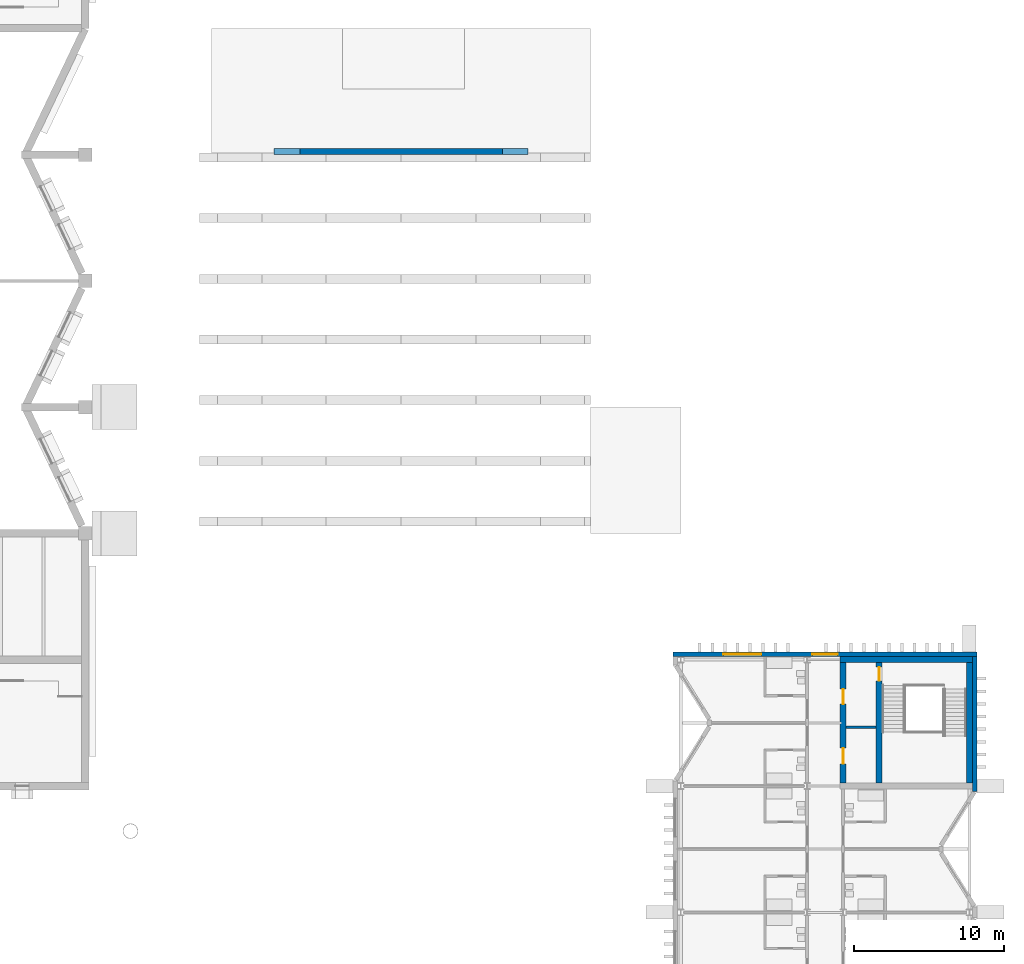
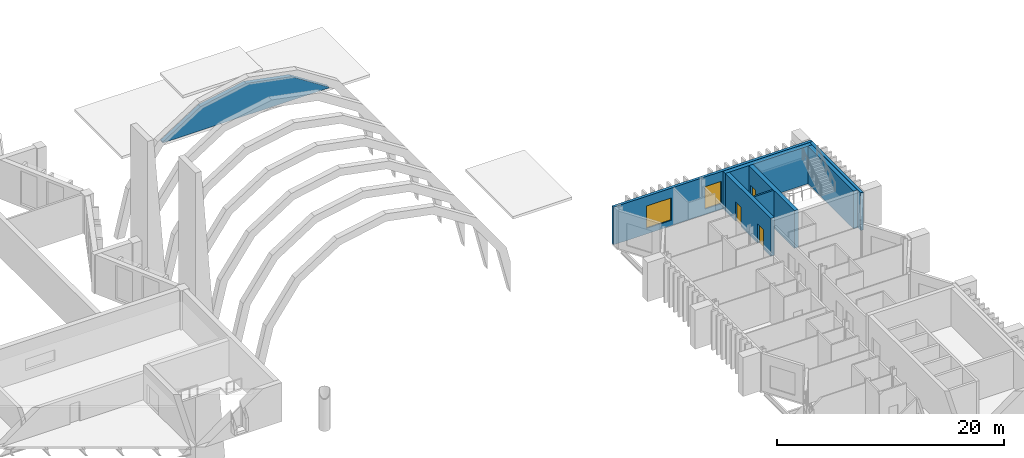
# One storey, part 70 of 88: 8 walls, 3 doors, 2 windows, 5 openings.
"""IFC4 building model written with IfcOpenShell, lengths in metres."""

from ifc_helpers import new_model, si_unit, direction, frame, frame_2d, origin, place, context, subcontext, project, spatial, polyline, rectangle, outline, extrude, material, layer, layer_set, type_object, element, fill, save


model = new_model("IFC4")

# Units and contexts
model_context = context("Model", 3, precision=1e-05, world=origin(), true_north=direction((0.0, 1.0)))
body_context = subcontext(model_context, "Body", "Model", "MODEL_VIEW")
ifc_project = project(units=[si_unit("LENGTHUNIT", "METRE"), si_unit("AREAUNIT", "SQUARE_METRE"), si_unit("VOLUMEUNIT", "CUBIC_METRE"), si_unit("PLANEANGLEUNIT", "RADIAN"), si_unit("MASSUNIT", "GRAM", prefix="KILO")], contexts=[model_context])

# Site, building, storey
site_placement = place(None, origin())
site = spatial("IfcSite", under=ifc_project, at=site_placement, CompositionType="ELEMENT")
building_placement = place(site_placement, origin())
building = spatial("IfcBuilding", under=site, at=building_placement, Name="Cresset Court Congress Hotel", CompositionType="ELEMENT")
storey_placement = place(building_placement, frame((0.0, 0.0, 14.39990234375)))
storey = spatial("IfcBuildingStorey", under=building, at=storey_placement, Name="L03", CompositionType="ELEMENT", Elevation=14.39990234375)

# Wall
ifc_material_1 = material(Name="Precast concrete C50", Category="concrete")
ifc_layer_1 = layer(ifc_material_1, 0.280029296875)
ifc_layer_set_1 = layer_set([ifc_layer_1], Name="External wall 280")
wall_type_1 = type_object("IfcWallType", Name="External wall 280", PredefinedType="SOLIDWALL", material=ifc_layer_set_1)
wall_1_placement = place(storey_placement, frame((176.760009765625, 58.449951171875, 0.0), z_axis=(0.0, 0.0, 1.0), x_axis=(0.0, 1.0, 0.0)))
element("IfcWall", 1, at=wall_1_placement, inside=storey, type_object=wall_type_1, Name="A.ew.L03.E.3", PredefinedType="SOLIDWALL", context=body_context, shape_type="SweptSolid", body=[
    extrude(rectangle(XDim=8.969970703125, YDim=0.280029296875, at=frame_2d((4.48486328125, 0.0))), origin(), (0.0, 0.0, 1.0), 4.050048828125),
])

# Wall, openings, windows
ifc_material_2 = material(Name="Precast concrete C50", Category="concrete")
ifc_layer_2 = layer(ifc_material_2, 0.280029296875)
ifc_layer_set_2 = layer_set([ifc_layer_2], Name="Gable end wall 280")
wall_type_2 = type_object("IfcWallType", Name="Gable end wall 280", PredefinedType="SOLIDWALL", material=ifc_layer_set_2)
wall_2_placement = place(storey_placement, frame((156.699951171875, 67.56005859375, 0.0), z_axis=(0.0, 0.0, 1.0), x_axis=(1.0, 0.0, 0.0)))
wall_2 = element("IfcWall", 2, at=wall_2_placement, inside=storey, type_object=wall_type_2, Name="A.ew.L03.N.1", PredefinedType="SOLIDWALL", context=body_context, shape_type="SweptSolid", body=[
    extrude(rectangle(XDim=20.199951171875, YDim=0.280029296875, at=frame_2d((10.10009765625, 0.0))), origin(), (0.0, 0.0, 1.0), 4.050048828125),
])
opening_1_placement = place(wall_2_placement, frame((9.260009765625, 0.0, 0.60009765625)))
opening_1 = element("IfcOpeningElement", 3, at=opening_1_placement, cuts=wall_2, Name="Opening NA-03-21", PredefinedType="OPENING", context=body_context, shape_type="SweptSolid", body=[
    extrude(rectangle(XDim=1.679931640625, YDim=2.39990234375, at=frame_2d((0.83984375, 1.199951171875))), frame((0.0, 0.14990234375, 0.0), z_axis=(0.0, -1.0, 0.0), x_axis=(1.0, 0.0, 0.0)), (0.0, 0.0, 1.0), 0.300048828125),
])
opening_2_placement = place(wall_2_placement, frame((3.340087890625, 0.0, 0.60009765625)))
opening_2 = element("IfcOpeningElement", 4, at=opening_2_placement, cuts=wall_2, Name="Opening NA-03-22", PredefinedType="OPENING", context=body_context, shape_type="SweptSolid", body=[
    extrude(rectangle(XDim=2.52001953125, YDim=2.39990234375, at=frame_2d((1.260009765625, 1.199951171875))), frame((0.0, 0.14990234375, 0.0), z_axis=(0.0, -1.0, 0.0), x_axis=(1.0, 0.0, 0.0)), (0.0, 0.0, 1.0), 0.300048828125),
])
ifc_material_3 = material(Name="Aluminium and glass", Category="aluminium")
window_type_1 = type_object("IfcWindowType", Name="Window 1680x2400", PartitioningType="SINGLE_PANEL", PredefinedType="WINDOW", material=ifc_material_3)
window_1_placement = place(opening_1_placement, origin())
window_1 = element("IfcWindow", 5, at=window_1_placement, inside=storey, type_object=window_type_1, Name="Window NA-03-21", OverallHeight=2.39990234375, OverallWidth=1.679931640625, PartitioningType="SINGLE_PANEL", PredefinedType="WINDOW", context=body_context, shape_type="SweptSolid", body=[
    extrude(rectangle(XDim=1.679931640625, YDim=2.39990234375, at=frame_2d((0.83984375, 1.199951171875))), frame((0.0, 0.030029296875, 0.0), z_axis=(0.0, -1.0, 0.0), x_axis=(1.0, 0.0, 0.0)), (0.0, 0.0, 1.0), 0.06005859375),
])
fill(opening_1, window_1)
ifc_material_4 = material(Name="Aluminium and glass", Category="aluminium")
window_type_2 = type_object("IfcWindowType", Name="Window 2520x2400", PartitioningType="SINGLE_PANEL", PredefinedType="WINDOW", material=ifc_material_4)
window_2_placement = place(opening_2_placement, origin())
window_2 = element("IfcWindow", 6, at=window_2_placement, inside=storey, type_object=window_type_2, Name="Window NA-03-22", OverallHeight=2.39990234375, OverallWidth=2.52001953125, PartitioningType="SINGLE_PANEL", PredefinedType="WINDOW", context=body_context, shape_type="SweptSolid", body=[
    extrude(rectangle(XDim=2.52001953125, YDim=2.39990234375, at=frame_2d((1.260009765625, 1.199951171875))), frame((0.0, 0.030029296875, 0.0), z_axis=(0.0, -1.0, 0.0), x_axis=(1.0, 0.0, 0.0)), (0.0, 0.0, 1.0), 0.06005859375),
])
fill(opening_2, window_2)

# Walls
ifc_material_5 = material(Name="Concrete C40", Category="concrete")
ifc_layer_3 = layer(ifc_material_5, 0.39990234375)
ifc_layer_set_3 = layer_set([ifc_layer_3], Name="RC gable wall 400 C40 external")
wall_type_3 = type_object("IfcWallType", Name="RC gable wall 400 C40 external", PredefinedType="SOLIDWALL", material=ifc_layer_set_3)
wall_3_placement = place(storey_placement, frame((130.151123046875, 101.0, 0.0), z_axis=(0.0, 0.0, 1.0), x_axis=(1.0, 0.0, 0.0)))
element("IfcWall", 7, at=wall_3_placement, inside=storey, type_object=wall_type_3, Name="Pool hall north gable wall", PredefinedType="SOLIDWALL", context=body_context, shape_type="SweptSolid", body=[
    extrude(outline(polyline([(0.0, 0.0), (16.897705078125, 0.0), (16.897705078125, 0.10302734375), (13.0771484375, 2.555908203125), (8.44873046875, 3.447265625), (3.8203125, 2.555908203125), (0.0, 0.10302734375), (0.0, 0.0)])), frame((0.0, 0.199951171875, 0.0), z_axis=(0.0, -1.0, 0.0), x_axis=(1.0, 0.0, 0.0)), (0.0, 0.0, 1.0), 0.39990234375),
])
ifc_material_6 = material(Name="Concrete block wall", Category="concrete")
ifc_layer_4 = layer(ifc_material_6, 0.175048828125)
ifc_layer_set_4 = layer_set([ifc_layer_4], Name="Riser shaft wall 175")
wall_type_4 = type_object("IfcWallType", Name="Riser shaft wall 175", PredefinedType="PARTITIONING", material=ifc_layer_set_4)
wall_4_placement = place(storey_placement, frame((168.199951171875, 62.699951171875, 0.0), z_axis=(0.0, 0.0, 1.0), x_axis=(1.0, 0.0, 0.0)))
element("IfcWall", 8, at=wall_4_placement, inside=storey, type_object=wall_type_4, Name="A.wl.L03.076", PredefinedType="PARTITIONING", context=body_context, shape_type="SweptSolid", body=[
    extrude(rectangle(XDim=2.0, YDim=0.175048828125, at=frame_2d((1.0, 0.0))), origin(), (0.0, 0.0, 1.0), 4.050048828125),
])
ifc_material_7 = material(Name="Concrete C50", Category="concrete")
ifc_layer_5 = layer(ifc_material_7, 0.39990234375)
ifc_layer_set_5 = layer_set([ifc_layer_5], Name="Stair core wall 400")
wall_type_5 = type_object("IfcWallType", Name="Stair core wall 400", PredefinedType="SOLIDWALL", material=ifc_layer_set_5)
wall_5_placement = place(storey_placement, frame((167.800048828125, 67.199951171875, 0.0), z_axis=(0.0, 0.0, 1.0), x_axis=(1.0, 0.0, 0.0)))
element("IfcWall", 9, at=wall_5_placement, inside=storey, type_object=wall_type_5, Name="A.cw.ST-A2.L03.N", PredefinedType="SOLIDWALL", context=body_context, shape_type="SweptSolid", body=[
    extrude(rectangle(XDim=8.800048828125, YDim=0.39990234375, at=frame_2d((4.39990234375, 0.0))), origin(), (0.0, 0.0, 1.0), 4.050048828125),
])

# Wall, openings, doors
wall_6_placement = place(storey_placement, frame((168.0, 59.0, 0.0), z_axis=(0.0, 0.0, 1.0), x_axis=(0.0, 1.0, 0.0)))
wall_6 = element("IfcWall", 10, at=wall_6_placement, inside=storey, type_object=wall_type_5, Name="A.cw.ST-A2.L03.W", PredefinedType="SOLIDWALL", context=body_context, shape_type="SweptSolid", body=[
    extrude(rectangle(XDim=8.0, YDim=0.39990234375, at=frame_2d((4.0, 0.0))), origin(), (0.0, 0.0, 1.0), 4.050048828125),
])
opening_3_placement = place(wall_6_placement, frame((5.25, 0.0, 0.0)))
opening_3 = element("IfcOpeningElement", 11, at=opening_3_placement, cuts=wall_6, Name="Opening DA-03-47", PredefinedType="OPENING", context=body_context, shape_type="SweptSolid", body=[
    extrude(rectangle(XDim=1.0, YDim=2.10009765625, at=frame_2d((0.5, 1.050048828125))), frame((0.0, 0.2099609375, 0.0), z_axis=(0.0, -1.0, 0.0), x_axis=(1.0, 0.0, 0.0)), (0.0, 0.0, 1.0), 0.419921875),
])
opening_4_placement = place(wall_6_placement, frame((1.27490234375, 0.0, 0.0)))
opening_4 = element("IfcOpeningElement", 12, at=opening_4_placement, cuts=wall_6, Name="Opening DA-03-48", PredefinedType="OPENING", context=body_context, shape_type="SweptSolid", body=[
    extrude(rectangle(XDim=1.050048828125, YDim=2.10009765625, at=frame_2d((0.52490234375, 1.050048828125))), frame((0.0, 0.2099609375, 0.0), z_axis=(0.0, -1.0, 0.0), x_axis=(1.0, 0.0, 0.0)), (0.0, 0.0, 1.0), 0.419921875),
])
ifc_material_8 = material(Name="steel", Category="steel")
door_type_1 = type_object("IfcDoorType", Name="Housekeeping room door 1050x2100 FD30", OperationType="SINGLE_SWING_LEFT", PredefinedType="DOOR", material=ifc_material_8)
door_1_placement = place(opening_4_placement, origin())
door_1 = element("IfcDoor", 13, at=door_1_placement, inside=storey, type_object=door_type_1, Name="Door DA-03-48", OperationType="SINGLE_SWING_RIGHT", OverallHeight=2.10009765625, OverallWidth=1.050048828125, PredefinedType="DOOR", context=body_context, shape_type="SweptSolid", body=[
    extrude(rectangle(XDim=1.050048828125, YDim=2.10009765625, at=frame_2d((0.52490234375, 1.050048828125))), frame((0.0, 0.02490234375, 0.0), z_axis=(0.0, -1.0, 0.0), x_axis=(1.0, 0.0, 0.0)), (0.0, 0.0, 1.0), 0.050048828125),
])
fill(opening_4, door_1)
ifc_material_9 = material(Name="steel", Category="steel")
door_type_2 = type_object("IfcDoorType", Name="Lobby door 1000x2100 FD60", OperationType="SINGLE_SWING_LEFT", PredefinedType="DOOR", material=ifc_material_9)
door_2_placement = place(opening_3_placement, origin())
door_2 = element("IfcDoor", 14, at=door_2_placement, inside=storey, type_object=door_type_2, Name="Door DA-03-47", OperationType="SINGLE_SWING_LEFT", OverallHeight=2.10009765625, OverallWidth=1.0, PredefinedType="DOOR", context=body_context, shape_type="SweptSolid", body=[
    extrude(rectangle(XDim=1.0, YDim=2.10009765625, at=frame_2d((0.5, 1.050048828125))), frame((0.0, 0.02490234375, 0.0), z_axis=(0.0, -1.0, 0.0), x_axis=(1.0, 0.0, 0.0)), (0.0, 0.0, 1.0), 0.050048828125),
])
fill(opening_3, door_2)

# Wall
wall_7_placement = place(storey_placement, frame((176.39990234375, 59.0, 0.0), z_axis=(0.0, 0.0, 1.0), x_axis=(0.0, 1.0, 0.0)))
element("IfcWall", 15, at=wall_7_placement, inside=storey, type_object=wall_type_5, Name="A.cw.ST-A2.L03.E", PredefinedType="SOLIDWALL", context=body_context, shape_type="SweptSolid", body=[
    extrude(rectangle(XDim=8.0, YDim=0.39990234375, at=frame_2d((4.0, 0.0))), origin(), (0.0, 0.0, 1.0), 4.050048828125),
])

# Wall, opening, door
wall_8_placement = place(storey_placement, frame((170.39990234375, 59.0, 0.0), z_axis=(0.0, 0.0, 1.0), x_axis=(0.0, 1.0, 0.0)))
wall_8 = element("IfcWall", 16, at=wall_8_placement, inside=storey, type_object=wall_type_5, Name="A.wl.L03.075", PredefinedType="SOLIDWALL", context=body_context, shape_type="SweptSolid", body=[
    extrude(rectangle(XDim=8.0, YDim=0.39990234375, at=frame_2d((4.0, 0.0))), origin(), (0.0, 0.0, 1.0), 4.050048828125),
])
opening_5_placement = place(wall_8_placement, frame((6.800048828125, 0.0, 0.0)))
opening_5 = element("IfcOpeningElement", 17, at=opening_5_placement, cuts=wall_8, Name="Opening DA-03-46", PredefinedType="OPENING", context=body_context, shape_type="SweptSolid", body=[
    extrude(rectangle(XDim=0.89990234375, YDim=2.10009765625, at=frame_2d((0.449951171875, 1.050048828125))), frame((0.0, 0.2099609375, 0.0), z_axis=(0.0, -1.0, 0.0), x_axis=(1.0, 0.0, 0.0)), (0.0, 0.0, 1.0), 0.419921875),
])
ifc_material_10 = material(Name="steel", Category="steel")
door_type_3 = type_object("IfcDoorType", Name="Stair door 900x2100 FD60", OperationType="SINGLE_SWING_LEFT", PredefinedType="DOOR", material=ifc_material_10)
door_3_placement = place(opening_5_placement, origin())
door_3 = element("IfcDoor", 18, at=door_3_placement, inside=storey, type_object=door_type_3, Name="Door DA-03-46", OperationType="SINGLE_SWING_RIGHT", OverallHeight=2.10009765625, OverallWidth=0.89990234375, PredefinedType="DOOR", context=body_context, shape_type="SweptSolid", body=[
    extrude(rectangle(XDim=0.89990234375, YDim=2.10009765625, at=frame_2d((0.449951171875, 1.050048828125))), frame((0.0, 0.02490234375, 0.0), z_axis=(0.0, -1.0, 0.0), x_axis=(1.0, 0.0, 0.0)), (0.0, 0.0, 1.0), 0.050048828125),
])
fill(opening_5, door_3)

save(model, "model.ifc")
